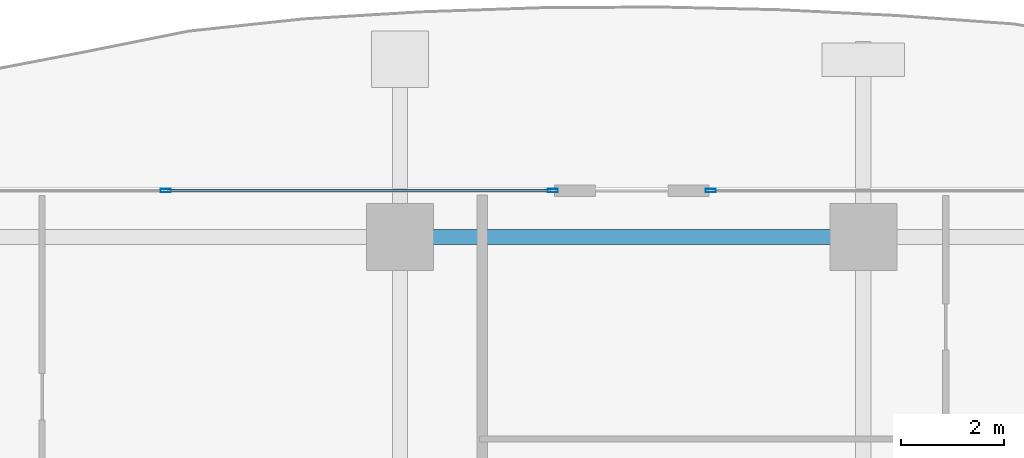
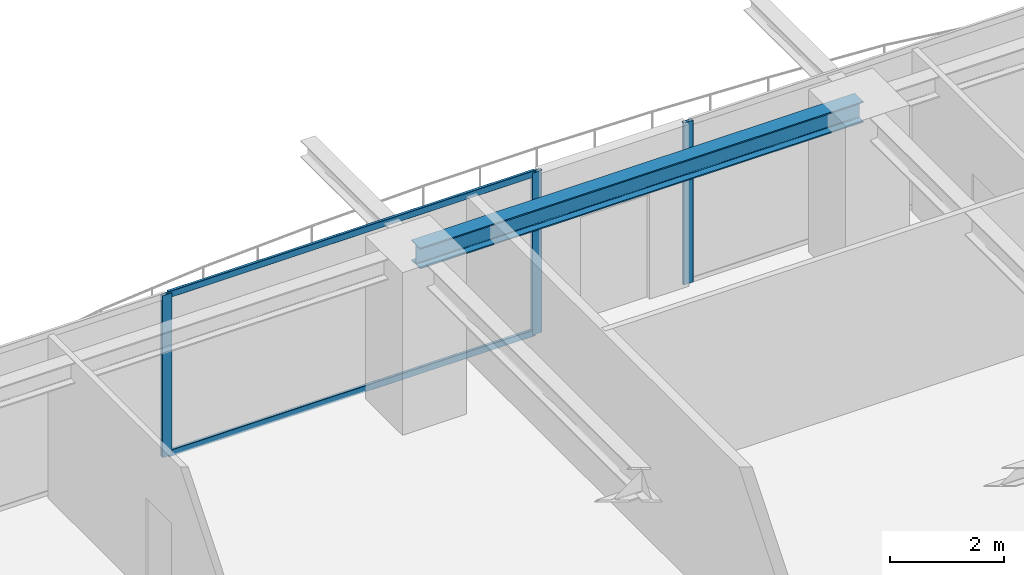
# One storey, part 18 of 33: 5 members, 1 beam, 2 elements without a shape of their own.
"""IFC4 building model written with IfcOpenShell, lengths in metres."""

from ifc_helpers import new_model, si_unit, direction, frame, origin, origin_2d, place, context, subcontext, project, spatial, hollow_rectangle, i_section, extrude, source, transform, mapped, material, layer, layer_set, material_profile, profile_set, type_object, element, aggregate, save


model = new_model("IFC4")

# Units and contexts
model_context = context("Model", 3, precision=1e-05, world=origin(), true_north=direction((0.0, 1.0)))
body_context = subcontext(model_context, "Body", "Model", "MODEL_VIEW")
ifc_project = project(units=[si_unit("LENGTHUNIT", "METRE"), si_unit("AREAUNIT", "SQUARE_METRE"), si_unit("VOLUMEUNIT", "CUBIC_METRE"), si_unit("PLANEANGLEUNIT", "RADIAN"), si_unit("MASSUNIT", "GRAM", prefix="KILO")], contexts=[model_context])

# Site, building, storey
site_placement = place(None, origin())
site = spatial("IfcSite", under=ifc_project, at=site_placement, CompositionType="ELEMENT")
building_placement = place(site_placement, origin())
building = spatial("IfcBuilding", under=site, at=building_placement, Name="Serunith Strait Residences", CompositionType="ELEMENT")
storey_placement = place(building_placement, frame((0.0, 0.0, 165.14990234375)))
storey = spatial("IfcBuildingStorey", under=building, at=storey_placement, Name="L41", CompositionType="ELEMENT", Elevation=165.14990234375)

# Beam
ifc_material_1 = material(Name="Steel S355J2", Category="steel")
ifc_material_profile_1 = material_profile(ifc_material_1, i_section(OverallWidth=0.300048828125, OverallDepth=0.449951171875, WebThickness=0.013916015625, FlangeThickness=0.02587890625, FilletRadius=0.027099609375, at=origin_2d()), Name="HEB 450")
ifc_profile_set_1 = profile_set([ifc_material_profile_1], Name="Steel S355J2")
beam_type = type_object("IfcBeamType", Name="BM-HEB450", PredefinedType="BEAM", material=ifc_profile_set_1)
shared_shape_1 = source(origin(), body_context, "Body", "SweptSolid", [
    extrude(i_section(OverallWidth=0.300048828125, OverallDepth=0.449951171875, WebThickness=0.013916015625, FlangeThickness=0.02587890625, FilletRadius=0.027099609375, at=origin_2d()), origin(), (0.0, 0.0, 1.0), 9.0),
])
beam_placement = place(storey_placement, frame((36.89990234375, 48.10009765625, 3.26220703125), z_axis=(-1.0, 0.0, 0.0), x_axis=(0.0, -1.0, 0.0)))
element("IfcBeam", 1, at=beam_placement, inside=storey, type_object=beam_type, Name="L41 Perimeter Ring Beam 10", PredefinedType="BEAM", context=body_context, shape_type="MappedRepresentation", body=[
    mapped(shared_shape_1, transform((0.0, 0.0, 0.0), scale=1.0)),
])

# Curtain wall, member
ifc_material_2 = material(Name="Pale-Champagne Anodised Aluminium", Category="aluminium")
ifc_layer = layer(ifc_material_2, 0.199951171875, Name="Pale-Champagne Anodised Aluminium")
ifc_layer_set = layer_set([ifc_layer], Name="Pale-Champagne Anodised Aluminium")
curtain_wall_type = type_object("IfcCurtainWallType", Name="CW-SYS2", PredefinedType="NOTDEFINED", material=ifc_layer_set)
curtain_wall_1_placement = place(storey_placement, origin())
curtain_wall_1 = element("IfcCurtainWall", 2, at=curtain_wall_1_placement, inside=storey, type_object=curtain_wall_type, Name="L41 N Unitised Fritted Curtain Wall", PredefinedType="NOTDEFINED")
ifc_material_profile_2 = material_profile(ifc_material_2, hollow_rectangle(XDim=0.070068359375, YDim=0.199951171875, WallThickness=0.00390625, InnerFilletRadius=0.006103515625, OuterFilletRadius=0.010009765625, at=origin_2d()), Name="ALU 200x70x4")
ifc_profile_set_2 = profile_set([ifc_material_profile_2], Name="Pale-Champagne Anodised Aluminium")
member_type_1 = type_object("IfcMemberType", Name="CW-SYS2-MULL", PredefinedType="MULLION", material=ifc_profile_set_2)
shared_shape_2 = source(origin(), body_context, "Body", "SweptSolid", [
    extrude(hollow_rectangle(XDim=0.070068359375, YDim=0.199951171875, WallThickness=0.00390625, InnerFilletRadius=0.006103515625, OuterFilletRadius=0.010009765625, at=origin_2d()), origin(), (0.0, 0.0, 1.0), 3.47509765625),
])
member_1_placement = place(storey_placement, frame((33.93505859375, 49.0, 0.0), z_axis=(0.0, 0.0, 1.0), x_axis=(0.0, -1.0, 0.0)))
member_1 = element("IfcMember", 3, at=member_1_placement, type_object=member_type_1, Name="CW-2 mullion 3", PredefinedType="MULLION", context=body_context, shape_type="MappedRepresentation", body=[
    mapped(shared_shape_2, transform((0.0, 0.0, 0.0), scale=1.0)),
])
aggregate(curtain_wall_1, [member_1])

# Curtain wall, members
curtain_wall_2_placement = place(storey_placement, origin())
curtain_wall_2 = element("IfcCurtainWall", 4, at=curtain_wall_2_placement, inside=storey, type_object=curtain_wall_type, Name="L41 N Unitised Fritted Curtain Wall", PredefinedType="NOTDEFINED")
member_2_placement = place(storey_placement, frame((30.864990234375, 49.0, 0.0), z_axis=(0.0, 0.0, 1.0), x_axis=(0.0, -1.0, 0.0)))
member_2 = element("IfcMember", 5, at=member_2_placement, type_object=member_type_1, Name="CW-2 mullion 1", PredefinedType="MULLION", context=body_context, shape_type="MappedRepresentation", body=[
    mapped(shared_shape_2, transform((0.0, 0.0, 0.0), scale=1.0)),
])
member_3_placement = place(storey_placement, frame((23.35009765625, 49.0, 0.0), z_axis=(0.0, 0.0, 1.0), x_axis=(0.0, -1.0, 0.0)))
member_3 = element("IfcMember", 6, at=member_3_placement, type_object=member_type_1, Name="CW-2 mullion 2", PredefinedType="MULLION", context=body_context, shape_type="MappedRepresentation", body=[
    mapped(shared_shape_2, transform((0.0, 0.0, 0.0), scale=1.0)),
])
ifc_material_profile_3 = material_profile(ifc_material_2, hollow_rectangle(XDim=0.06005859375, YDim=0.139892578125, WallThickness=0.00341796875, InnerFilletRadius=0.00537109375, OuterFilletRadius=0.0087890625, at=origin_2d()), Name="ALU 140x60x3.5")
ifc_profile_set_3 = profile_set([ifc_material_profile_3], Name="Pale-Champagne Anodised Aluminium")
member_type_2 = type_object("IfcMemberType", Name="CW-SYS2-TRAN", PredefinedType="USERDEFINED", material=ifc_profile_set_3)
shared_shape_3 = source(origin(), body_context, "Body", "SweptSolid", [
    extrude(hollow_rectangle(XDim=0.06005859375, YDim=0.139892578125, WallThickness=0.00341796875, InnerFilletRadius=0.00537109375, OuterFilletRadius=0.0087890625, at=origin_2d()), origin(), (0.0, 0.0, 1.0), 7.445068359375),
])
member_4_placement = place(storey_placement, frame((30.830078125, 49.0, 0.030029296875), z_axis=(-1.0, 0.0, 0.0), x_axis=(0.0, -1.0, 0.0)))
member_4 = element("IfcMember", 7, at=member_4_placement, type_object=member_type_2, Name="CW-2 transom 1.1", ObjectType="TRANSOM", PredefinedType="USERDEFINED", context=body_context, shape_type="MappedRepresentation", body=[
    mapped(shared_shape_3, transform((0.0, 0.0, 0.0), scale=1.0)),
])
member_5_placement = place(storey_placement, frame((30.830078125, 49.0, 3.445068359375), z_axis=(-1.0, 0.0, 0.0), x_axis=(0.0, -1.0, 0.0)))
member_5 = element("IfcMember", 8, at=member_5_placement, type_object=member_type_2, Name="CW-2 transom 1.2", ObjectType="TRANSOM", PredefinedType="USERDEFINED", context=body_context, shape_type="MappedRepresentation", body=[
    mapped(shared_shape_3, transform((0.0, 0.0, 0.0), scale=1.0)),
])
aggregate(curtain_wall_2, [member_2, member_3, member_4, member_5])

save(model, "model.ifc")
